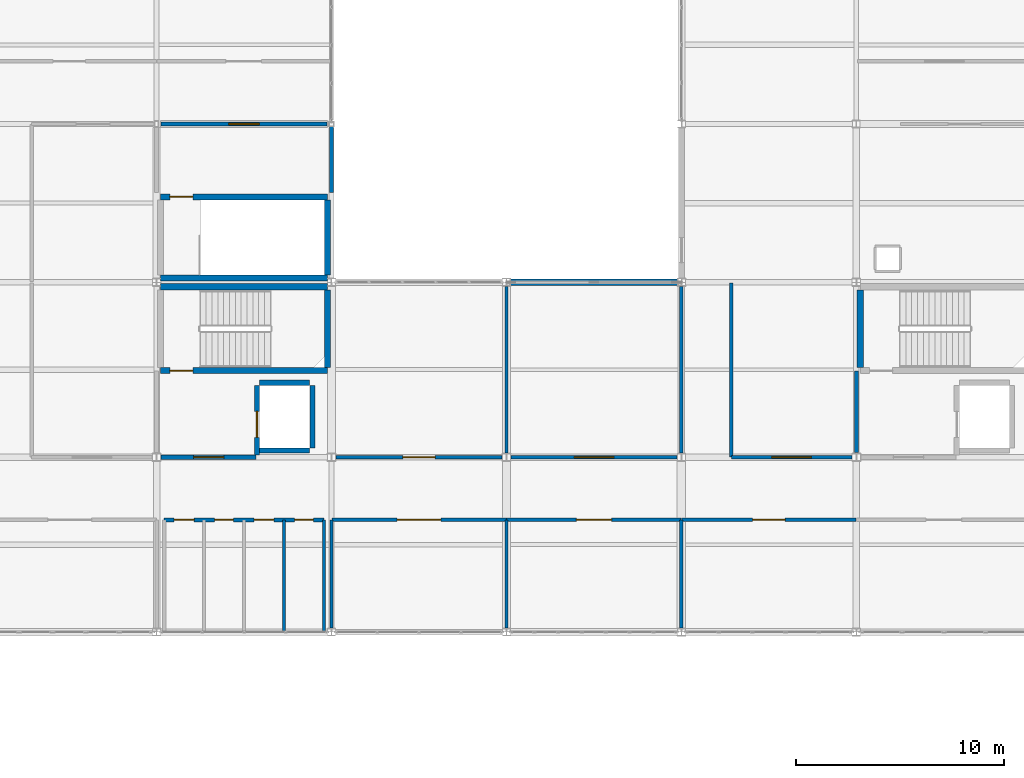
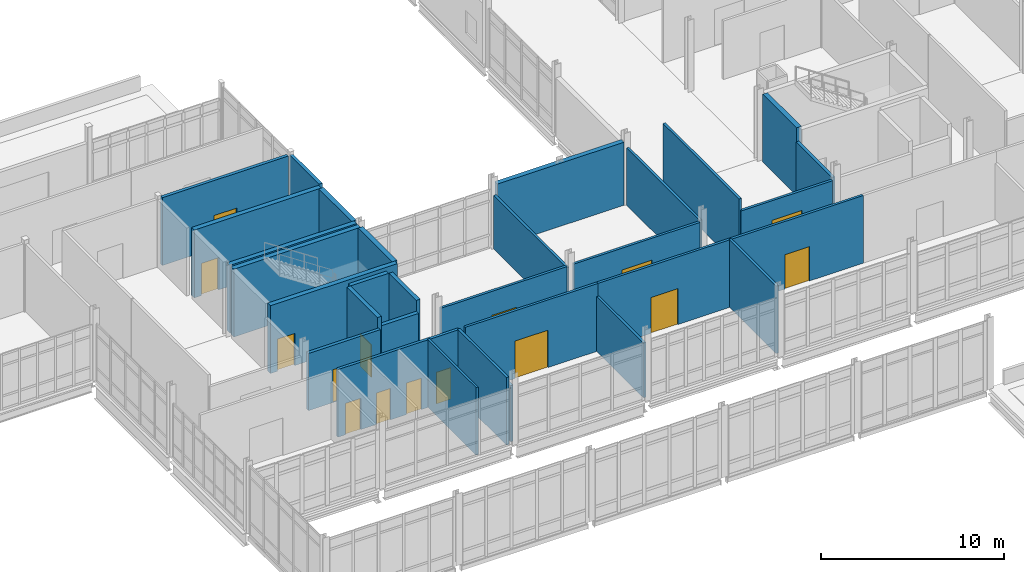
# One storey, part 159 of 186: 31 walls, 15 doors, 15 openings.
"""IFC4 building model written with IfcOpenShell, lengths in metres."""

from ifc_helpers import new_model, si_unit, direction, frame, frame_2d, origin, place, context, subcontext, project, spatial, rectangle, extrude, material, layer, layer_set, type_object, element, fill, save


model = new_model("IFC4")

# Units and contexts
model_context = context("Model", 3, precision=1e-05, world=origin(), true_north=direction((0.0, 1.0)))
body_context = subcontext(model_context, "Body", "Model", "MODEL_VIEW")
ifc_project = project(units=[si_unit("LENGTHUNIT", "METRE"), si_unit("AREAUNIT", "SQUARE_METRE"), si_unit("VOLUMEUNIT", "CUBIC_METRE"), si_unit("PLANEANGLEUNIT", "RADIAN"), si_unit("MASSUNIT", "GRAM", prefix="KILO")], contexts=[model_context])

# Site, building, storey
site_placement = place(None, origin())
site = spatial("IfcSite", under=ifc_project, at=site_placement, CompositionType="ELEMENT")
building_placement = place(site_placement, origin())
building = spatial("IfcBuilding", under=site, at=building_placement, Name="Calvrana Isthmian Art Gallery", CompositionType="ELEMENT")
storey_placement = place(building_placement, frame((0.0, 0.0, 5.39990234375)))
storey = spatial("IfcBuildingStorey", under=building, at=storey_placement, Name="L01", CompositionType="ELEMENT", Elevation=5.39990234375)

# Wall, opening, door
ifc_material_1 = material(Name="Concrete C40/50", Category="concrete")
ifc_layer_1 = layer(ifc_material_1, 0.300048828125, Name="Concrete C40/50")
ifc_layer_set_1 = layer_set([ifc_layer_1], Name="Concrete C40/50")
wall_type_1 = type_object("IfcWallType", Name="CW-SHAFT-300", PredefinedType="SHEAR", material=ifc_layer_set_1)
wall_1_placement = place(storey_placement, frame((30.18994140625, 42.56005859375, 0.0), z_axis=(0.0, 0.0, 1.0), x_axis=(1.0, 0.0, 0.0)))
wall_1 = element("IfcWall", 1, at=wall_1_placement, inside=storey, type_object=wall_type_1, Name="Core C1 shear wall S L01", PredefinedType="SHEAR", context=body_context, shape_type="SweptSolid", body=[
    extrude(rectangle(XDim=8.02001953125, YDim=0.300048828125, at=frame_2d((4.010009765625, 0.0))), origin(), (0.0, 0.0, 1.0), 4.5400390625),
])
opening_1_placement = place(wall_1_placement, frame((0.449951171875, 0.0, 0.0)))
opening_1 = element("IfcOpeningElement", 2, at=opening_1_placement, cuts=wall_1, Name="Opening D-105", PredefinedType="OPENING", context=body_context, shape_type="SweptSolid", body=[
    extrude(rectangle(XDim=1.10009765625, YDim=2.14990234375, at=frame_2d((0.550048828125, 1.074951171875))), frame((0.0, 0.16015625, 0.0), z_axis=(0.0, -1.0, 0.0), x_axis=(1.0, 0.0, 0.0)), (0.0, 0.0, 1.0), 0.320556640625),
])
ifc_material_2 = material(Name="Steel ASTM A572 Gr 50", Category="steel")
door_type_1 = type_object("IfcDoorType", Name="DR-FIRE-1100", OperationType="NOTDEFINED", PredefinedType="DOOR", material=ifc_material_2)
door_1_placement = place(opening_1_placement, origin())
door_1 = element("IfcDoor", 3, at=door_1_placement, inside=storey, type_object=door_type_1, Name="Stair ST-1 fire door L01", OperationType="SINGLE_SWING_LEFT", OverallHeight=2.14990234375, OverallWidth=1.10009765625, PredefinedType="DOOR", context=body_context, shape_type="SweptSolid", body=[
    extrude(rectangle(XDim=1.10009765625, YDim=2.14990234375, at=frame_2d((0.550048828125, 1.074951171875))), frame((0.0, 0.02490234375, 0.0), z_axis=(0.0, -1.0, 0.0), x_axis=(1.0, 0.0, 0.0)), (0.0, 0.0, 1.0), 0.050048828125),
])
fill(opening_1, door_1)

# Walls
wall_2_placement = place(storey_placement, frame((30.18994140625, 46.580078125, 0.0), z_axis=(0.0, 0.0, 1.0), x_axis=(1.0, 0.0, 0.0)))
element("IfcWall", 4, at=wall_2_placement, inside=storey, type_object=wall_type_1, Name="Core C1 shear wall N L01", PredefinedType="SHEAR", context=body_context, shape_type="SweptSolid", body=[
    extrude(rectangle(XDim=8.02001953125, YDim=0.300048828125, at=frame_2d((4.010009765625, 0.0))), origin(), (0.0, 0.0, 1.0), 4.5400390625),
])
for number, where, z_axis, x_axis, name in (
    (5, (38.2099609375, 42.7099609375, 0.0), (0.0, 0.0, 1.0), (0.0, 1.0, 0.0), "Core C1 shear wall E L01"),
    (6, (63.7900390625, 42.7099609375, 0.0), (0.0, 0.0, 1.0), (0.0, 1.0, 0.0), "Core C2 shear wall W L01"),
):
    element("IfcWall", number, at=place(storey_placement, frame(where, z_axis=z_axis, x_axis=x_axis)), inside=storey, type_object=wall_type_1, Name=name, PredefinedType="SHEAR", context=body_context, shape_type="SweptSolid", body=[
        extrude(rectangle(XDim=3.719970703125, YDim=0.300048828125, at=frame_2d((1.85986328125, 0.0))), origin(), (0.0, 0.0, 1.0), 4.5400390625),
    ])
wall_3_placement = place(storey_placement, frame((30.18994140625, 47.0, 0.0), z_axis=(0.0, 0.0, 1.0), x_axis=(1.0, 0.0, 0.0)))
element("IfcWall", 7, at=wall_3_placement, inside=storey, type_object=wall_type_1, Name="Core C7 shear wall S L01", PredefinedType="SHEAR", context=body_context, shape_type="SweptSolid", body=[
    extrude(rectangle(XDim=8.02001953125, YDim=0.300048828125, at=frame_2d((4.010009765625, 0.0))), origin(), (0.0, 0.0, 1.0), 4.5400390625),
])

# Wall, opening, door
wall_4_placement = place(storey_placement, frame((30.18994140625, 50.89990234375, 0.0), z_axis=(0.0, 0.0, 1.0), x_axis=(1.0, 0.0, 0.0)))
wall_4 = element("IfcWall", 8, at=wall_4_placement, inside=storey, type_object=wall_type_1, Name="Core C7 shear wall N L01", PredefinedType="SHEAR", context=body_context, shape_type="SweptSolid", body=[
    extrude(rectangle(XDim=8.02001953125, YDim=0.300048828125, at=frame_2d((4.010009765625, 0.0))), origin(), (0.0, 0.0, 1.0), 4.5400390625),
])
opening_2_placement = place(wall_4_placement, frame((0.449951171875, 0.0, 0.0)))
opening_2 = element("IfcOpeningElement", 9, at=opening_2_placement, cuts=wall_4, Name="Opening D-178", PredefinedType="OPENING", context=body_context, shape_type="SweptSolid", body=[
    extrude(rectangle(XDim=1.10009765625, YDim=2.14990234375, at=frame_2d((0.550048828125, 1.074951171875))), frame((0.0, 0.16015625, 0.0), z_axis=(0.0, -1.0, 0.0), x_axis=(1.0, 0.0, 0.0)), (0.0, 0.0, 1.0), 0.320556640625),
])
door_2_placement = place(opening_2_placement, origin())
door_2 = element("IfcDoor", 10, at=door_2_placement, inside=storey, type_object=door_type_1, Name="Stair ST-7 fire door L01", OperationType="SINGLE_SWING_RIGHT", OverallHeight=2.14990234375, OverallWidth=1.10009765625, PredefinedType="DOOR", context=body_context, shape_type="SweptSolid", body=[
    extrude(rectangle(XDim=1.10009765625, YDim=2.14990234375, at=frame_2d((0.550048828125, 1.074951171875))), frame((0.0, 0.02490234375, 0.0), z_axis=(0.0, -1.0, 0.0), x_axis=(1.0, 0.0, 0.0)), (0.0, 0.0, 1.0), 0.050048828125),
])
fill(opening_2, door_2)

# Walls
wall_5_placement = place(storey_placement, frame((38.2099609375, 47.14990234375, 0.0), z_axis=(0.0, 0.0, 1.0), x_axis=(0.0, 1.0, 0.0)))
element("IfcWall", 11, at=wall_5_placement, inside=storey, type_object=wall_type_1, Name="Core C7 shear wall E L01", PredefinedType="SHEAR", context=body_context, shape_type="SweptSolid", body=[
    extrude(rectangle(XDim=3.60009765625, YDim=0.300048828125, at=frame_2d((1.800048828125, 0.0))), origin(), (0.0, 0.0, 1.0), 4.5400390625),
])
ifc_material_3 = material(Name="Pale Isthmian limestone", Category="masonry")
ifc_layer_2 = layer(ifc_material_3, 0.300048828125, Name="Pale Isthmian limestone")
ifc_layer_set_2 = layer_set([ifc_layer_2], Name="Pale Isthmian limestone")
wall_type_2 = type_object("IfcWallType", Name="EW-LIME-300", PredefinedType="SOLIDWALL", material=ifc_layer_set_2)
wall_6_placement = place(storey_placement, frame((46.998046875, 46.800048828125, 0.0), z_axis=(0.0, 0.0, 1.0), x_axis=(1.0, 0.0, 0.0)))
element("IfcWall", 12, at=wall_6_placement, inside=storey, type_object=wall_type_2, Name="Exterior wall EW-067", PredefinedType="SOLIDWALL", context=body_context, shape_type="SweptSolid", body=[
    extrude(rectangle(XDim=8.0048828125, YDim=0.300048828125, at=frame_2d((4.00244140625, 0.0))), origin(), (0.0, 0.0, 1.0), 4.21533203125),
])

# Wall, openings, doors
ifc_material_4 = material(Name="Acoustic gypsum ceiling", Category="gypsum")
ifc_layer_3 = layer(ifc_material_4, 0.179931640625, Name="Acoustic gypsum ceiling")
ifc_layer_set_3 = layer_set([ifc_layer_3], Name="Acoustic gypsum ceiling")
wall_type_3 = type_object("IfcWallType", Name="PW-CORR-180", PredefinedType="PARTITIONING", material=ifc_layer_set_3)
wall_7_placement = place(storey_placement, frame((30.360107421875, 35.389892578125, 0.0), z_axis=(0.0, 0.0, 1.0), x_axis=(1.0, 0.0, 0.0)))
wall_7 = element("IfcWall", 13, at=wall_7_placement, inside=storey, type_object=wall_type_3, Name="Interior partition PW-304", PredefinedType="PARTITIONING", context=body_context, shape_type="SweptSolid", body=[
    extrude(rectangle(XDim=7.679931640625, YDim=0.179931640625, at=frame_2d((3.83984375, 0.0))), origin(), (0.0, 0.0, 1.0), 4.52001953125),
])
opening_3_placement = place(wall_7_placement, frame((0.485107421875, 0.0, 0.0)))
opening_3 = element("IfcOpeningElement", 14, at=opening_3_placement, cuts=wall_7, Name="Opening D-350", PredefinedType="OPENING", context=body_context, shape_type="SweptSolid", body=[
    extrude(rectangle(XDim=0.949951171875, YDim=2.10009765625, at=frame_2d((0.47509765625, 1.050048828125))), frame((0.0, 0.10009765625, 0.0), z_axis=(0.0, -1.0, 0.0), x_axis=(1.0, 0.0, 0.0)), (0.0, 0.0, 1.0), 0.200439453125),
])
opening_4_placement = place(wall_7_placement, frame((2.429931640625, 0.0, 0.0)))
opening_4 = element("IfcOpeningElement", 15, at=opening_4_placement, cuts=wall_7, Name="Opening D-351", PredefinedType="OPENING", context=body_context, shape_type="SweptSolid", body=[
    extrude(rectangle(XDim=0.89990234375, YDim=2.10009765625, at=frame_2d((0.449951171875, 1.050048828125))), frame((0.0, 0.10009765625, 0.0), z_axis=(0.0, -1.0, 0.0), x_axis=(1.0, 0.0, 0.0)), (0.0, 0.0, 1.0), 0.200439453125),
])
opening_5_placement = place(wall_7_placement, frame((4.324951171875, 0.0, 0.0)))
opening_5 = element("IfcOpeningElement", 16, at=opening_5_placement, cuts=wall_7, Name="Opening D-352", PredefinedType="OPENING", context=body_context, shape_type="SweptSolid", body=[
    extrude(rectangle(XDim=0.949951171875, YDim=2.10009765625, at=frame_2d((0.47509765625, 1.050048828125))), frame((0.0, 0.10009765625, 0.0), z_axis=(0.0, -1.0, 0.0), x_axis=(1.0, 0.0, 0.0)), (0.0, 0.0, 1.0), 0.200439453125),
])
opening_6_placement = place(wall_7_placement, frame((6.27001953125, 0.0, 0.0)))
opening_6 = element("IfcOpeningElement", 17, at=opening_6_placement, cuts=wall_7, Name="Opening D-353", PredefinedType="OPENING", context=body_context, shape_type="SweptSolid", body=[
    extrude(rectangle(XDim=0.89990234375, YDim=2.10009765625, at=frame_2d((0.449951171875, 1.050048828125))), frame((0.0, 0.10009765625, 0.0), z_axis=(0.0, -1.0, 0.0), x_axis=(1.0, 0.0, 0.0)), (0.0, 0.0, 1.0), 0.200439453125),
])
ifc_material_5 = material(Name="Timber gallery flooring", Category="wood")
door_type_2 = type_object("IfcDoorType", Name="DR-WC-900", OperationType="NOTDEFINED", PredefinedType="DOOR", material=ifc_material_5)
door_3_placement = place(opening_4_placement, origin())
door_3 = element("IfcDoor", 18, at=door_3_placement, inside=storey, type_object=door_type_2, Name="Interior door D-351", OperationType="SINGLE_SWING_LEFT", OverallHeight=2.10009765625, OverallWidth=0.89990234375, PredefinedType="DOOR", context=body_context, shape_type="SweptSolid", body=[
    extrude(rectangle(XDim=0.89990234375, YDim=2.10009765625, at=frame_2d((0.449951171875, 1.050048828125))), frame((0.0, 0.02490234375, 0.0), z_axis=(0.0, -1.0, 0.0), x_axis=(1.0, 0.0, 0.0)), (0.0, 0.0, 1.0), 0.050048828125),
])
fill(opening_4, door_3)
door_4_placement = place(opening_6_placement, origin())
door_4 = element("IfcDoor", 19, at=door_4_placement, inside=storey, type_object=door_type_2, Name="Interior door D-353", OperationType="SINGLE_SWING_LEFT", OverallHeight=2.10009765625, OverallWidth=0.89990234375, PredefinedType="DOOR", context=body_context, shape_type="SweptSolid", body=[
    extrude(rectangle(XDim=0.89990234375, YDim=2.10009765625, at=frame_2d((0.449951171875, 1.050048828125))), frame((0.0, 0.02490234375, 0.0), z_axis=(0.0, -1.0, 0.0), x_axis=(1.0, 0.0, 0.0)), (0.0, 0.0, 1.0), 0.050048828125),
])
fill(opening_6, door_4)
door_type_3 = type_object("IfcDoorType", Name="DR-WC-950", OperationType="NOTDEFINED", PredefinedType="DOOR", material=ifc_material_5)
door_5_placement = place(opening_3_placement, origin())
door_5 = element("IfcDoor", 20, at=door_5_placement, inside=storey, type_object=door_type_3, Name="Interior door D-350", OperationType="SINGLE_SWING_RIGHT", OverallHeight=2.10009765625, OverallWidth=0.949951171875, PredefinedType="DOOR", context=body_context, shape_type="SweptSolid", body=[
    extrude(rectangle(XDim=0.949951171875, YDim=2.10009765625, at=frame_2d((0.47509765625, 1.050048828125))), frame((0.0, 0.02490234375, 0.0), z_axis=(0.0, -1.0, 0.0), x_axis=(1.0, 0.0, 0.0)), (0.0, 0.0, 1.0), 0.050048828125),
])
fill(opening_3, door_5)
door_6_placement = place(opening_5_placement, origin())
door_6 = element("IfcDoor", 21, at=door_6_placement, inside=storey, type_object=door_type_3, Name="Interior door D-352", OperationType="SINGLE_SWING_RIGHT", OverallHeight=2.10009765625, OverallWidth=0.949951171875, PredefinedType="DOOR", context=body_context, shape_type="SweptSolid", body=[
    extrude(rectangle(XDim=0.949951171875, YDim=2.10009765625, at=frame_2d((0.47509765625, 1.050048828125))), frame((0.0, 0.02490234375, 0.0), z_axis=(0.0, -1.0, 0.0), x_axis=(1.0, 0.0, 0.0)), (0.0, 0.0, 1.0), 0.050048828125),
])
fill(opening_5, door_6)

# Wall, opening, door
ifc_layer_4 = layer(ifc_material_4, 0.199951171875, Name="Acoustic gypsum ceiling")
ifc_layer_set_4 = layer_set([ifc_layer_4], Name="Acoustic gypsum ceiling")
wall_type_4 = type_object("IfcWallType", Name="PW-FIRE-200", PredefinedType="PARTITIONING", material=ifc_layer_set_4)
wall_8_placement = place(storey_placement, frame((30.219970703125, 38.39990234375, 0.0), z_axis=(0.0, 0.0, 1.0), x_axis=(1.0, 0.0, 0.0)))
wall_8 = element("IfcWall", 22, at=wall_8_placement, inside=storey, type_object=wall_type_4, Name="Core C1 lobby enclosure L01", PredefinedType="PARTITIONING", context=body_context, shape_type="SweptSolid", body=[
    extrude(rectangle(XDim=4.56005859375, YDim=0.199951171875, at=frame_2d((2.280029296875, 0.0))), origin(), (0.0, 0.0, 1.0), 3.8271484375),
])
opening_7_placement = place(wall_8_placement, frame((1.554931640625, 0.0, 0.0)))
opening_7 = element("IfcOpeningElement", 23, at=opening_7_placement, cuts=wall_8, Name="Opening D-106", PredefinedType="OPENING", context=body_context, shape_type="SweptSolid", body=[
    extrude(rectangle(XDim=1.449951171875, YDim=2.199951171875, at=frame_2d((0.72509765625, 1.10009765625))), frame((0.0, 0.1103515625, 0.0), z_axis=(0.0, -1.0, 0.0), x_axis=(1.0, 0.0, 0.0)), (0.0, 0.0, 1.0), 0.220458984375),
])
door_type_4 = type_object("IfcDoorType", Name="DR-LOBBY-1450", OperationType="DOUBLE_DOOR_SINGLE_SWING", PredefinedType="DOOR", material=ifc_material_2)
door_7_placement = place(opening_7_placement, origin())
door_7 = element("IfcDoor", 24, at=door_7_placement, inside=storey, type_object=door_type_4, Name="Core C1 lobby fire door L01", OperationType="DOUBLE_DOOR_SINGLE_SWING", OverallHeight=2.199951171875, OverallWidth=1.449951171875, PredefinedType="DOOR", context=body_context, shape_type="SweptSolid", body=[
    extrude(rectangle(XDim=1.449951171875, YDim=2.199951171875, at=frame_2d((0.72509765625, 1.10009765625))), frame((0.0, 0.02490234375, 0.0), z_axis=(0.0, -1.0, 0.0), x_axis=(1.0, 0.0, 0.0)), (0.0, 0.0, 1.0), 0.050048828125),
])
fill(opening_7, door_7)

# Walls
wall_9_placement = place(storey_placement, frame((63.60009765625, 38.6201171875, 0.0), z_axis=(0.0, 0.0, 1.0), x_axis=(0.0, 1.0, 0.0)))
element("IfcWall", 25, at=wall_9_placement, inside=storey, type_object=wall_type_4, Name="Core C2 lobby west closure L01", PredefinedType="PARTITIONING", context=body_context, shape_type="SweptSolid", body=[
    extrude(rectangle(XDim=3.919921875, YDim=0.199951171875, at=frame_2d((1.9599609375, 0.0))), origin(), (0.0, 0.0, 1.0), 3.748046875),
])
wall_10_placement = place(storey_placement, frame((38.39990234375, 51.1201171875, 0.0), z_axis=(0.0, 0.0, 1.0), x_axis=(0.0, 1.0, 0.0)))
element("IfcWall", 26, at=wall_10_placement, inside=storey, type_object=wall_type_4, Name="Core C7 lobby E closure L01", PredefinedType="PARTITIONING", context=body_context, shape_type="SweptSolid", body=[
    extrude(rectangle(XDim=3.259765625, YDim=0.199951171875, at=frame_2d((1.6298828125, 0.0))), origin(), (0.0, 0.0, 1.0), 4.5400390625),
])

# Wall, opening, door
wall_11_placement = place(storey_placement, frame((30.219970703125, 54.39990234375, 0.0), z_axis=(0.0, 0.0, 1.0), x_axis=(1.0, 0.0, 0.0)))
wall_11 = element("IfcWall", 27, at=wall_11_placement, inside=storey, type_object=wall_type_4, Name="Core C7 lobby enclosure L01", PredefinedType="PARTITIONING", context=body_context, shape_type="SweptSolid", body=[
    extrude(rectangle(XDim=7.9599609375, YDim=0.199951171875, at=frame_2d((3.97998046875, 0.0))), origin(), (0.0, 0.0, 1.0), 4.5400390625),
])
opening_8_placement = place(wall_11_placement, frame((3.2548828125, 0.0, 0.0)))
opening_8 = element("IfcOpeningElement", 28, at=opening_8_placement, cuts=wall_11, Name="Opening D-179", PredefinedType="OPENING", context=body_context, shape_type="SweptSolid", body=[
    extrude(rectangle(XDim=1.449951171875, YDim=2.199951171875, at=frame_2d((0.72509765625, 1.10009765625))), frame((0.0, 0.1103515625, 0.0), z_axis=(0.0, -1.0, 0.0), x_axis=(1.0, 0.0, 0.0)), (0.0, 0.0, 1.0), 0.220458984375),
])
door_8_placement = place(opening_8_placement, origin())
door_8 = element("IfcDoor", 29, at=door_8_placement, inside=storey, type_object=door_type_4, Name="Core C7 lobby fire door L01", OperationType="DOUBLE_DOOR_SINGLE_SWING", OverallHeight=2.199951171875, OverallWidth=1.449951171875, PredefinedType="DOOR", context=body_context, shape_type="SweptSolid", body=[
    extrude(rectangle(XDim=1.449951171875, YDim=2.199951171875, at=frame_2d((0.72509765625, 1.10009765625))), frame((0.0, 0.02490234375, 0.0), z_axis=(0.0, -1.0, 0.0), x_axis=(1.0, 0.0, 0.0)), (0.0, 0.0, 1.0), 0.050048828125),
])
fill(opening_8, door_8)

# Walls
ifc_layer_5 = layer(ifc_material_4, 0.159912109375, Name="Acoustic gypsum ceiling")
ifc_layer_set_5 = layer_set([ifc_layer_5], Name="Acoustic gypsum ceiling")
wall_type_5 = type_object("IfcWallType", Name="PW-GAL-160", PredefinedType="PARTITIONING", material=ifc_layer_set_5)
wall_12_placement = place(storey_placement, frame((38.0400390625, 30.030029296875, 0.0), z_axis=(0.0, 0.0, 1.0), x_axis=(0.0, 1.0, 0.0)))
element("IfcWall", 30, at=wall_12_placement, inside=storey, type_object=wall_type_5, Name="Interior partition PW-303", PredefinedType="PARTITIONING", context=body_context, shape_type="SweptSolid", body=[
    extrude(rectangle(XDim=5.349853515625, YDim=0.159912109375, at=frame_2d((2.6748046875, 0.0))), origin(), (0.0, 0.0, 1.0), 4.52001953125),
])
wall_13_placement = place(storey_placement, frame((38.39990234375, 30.196533203125, 0.0), z_axis=(0.0, 0.0, 1.0), x_axis=(0.0, 1.0, 0.0)))
element("IfcWall", 31, at=wall_13_placement, inside=storey, type_object=wall_type_5, Name="Interior partition PW-305", PredefinedType="PARTITIONING", context=body_context, shape_type="SweptSolid", body=[
    extrude(rectangle(XDim=5.183349609375, YDim=0.159912109375, at=frame_2d((2.591796875, 0.0))), origin(), (0.0, 0.0, 1.0), 3.748046875),
])

# Wall, opening, door
wall_14_placement = place(storey_placement, frame((38.409912109375, 35.389892578125, 0.0), z_axis=(0.0, 0.0, 1.0), x_axis=(1.0, 0.0, 0.0)))
wall_14 = element("IfcWall", 32, at=wall_14_placement, inside=storey, type_object=wall_type_5, Name="Interior partition PW-306", PredefinedType="PARTITIONING", context=body_context, shape_type="SweptSolid", body=[
    extrude(rectangle(XDim=8.380126953125, YDim=0.159912109375, at=frame_2d((4.18994140625, 0.0))), origin(), (0.0, 0.0, 1.0), 4.52001953125),
])
opening_9_placement = place(wall_14_placement, frame((3.139892578125, 0.0, 0.0)))
opening_9 = element("IfcOpeningElement", 33, at=opening_9_placement, cuts=wall_14, Name="Opening D-354", PredefinedType="OPENING", context=body_context, shape_type="SweptSolid", body=[
    extrude(rectangle(XDim=2.10009765625, YDim=2.5, at=frame_2d((1.050048828125, 1.25))), frame((0.0, 0.09033203125, 0.0), z_axis=(0.0, -1.0, 0.0), x_axis=(1.0, 0.0, 0.0)), (0.0, 0.0, 1.0), 0.180419921875),
])
door_type_5 = type_object("IfcDoorType", Name="DR-GAL-2100", OperationType="DOUBLE_DOOR_SINGLE_SWING", PredefinedType="DOOR", material=ifc_material_5)
door_9_placement = place(opening_9_placement, origin())
door_9 = element("IfcDoor", 34, at=door_9_placement, inside=storey, type_object=door_type_5, Name="Interior door D-354", OperationType="DOUBLE_DOOR_SINGLE_SWING", OverallHeight=2.5, OverallWidth=2.10009765625, PredefinedType="DOOR", context=body_context, shape_type="SweptSolid", body=[
    extrude(rectangle(XDim=2.10009765625, YDim=2.5, at=frame_2d((1.050048828125, 1.25))), frame((0.0, 0.02490234375, 0.0), z_axis=(0.0, -1.0, 0.0), x_axis=(1.0, 0.0, 0.0)), (0.0, 0.0, 1.0), 0.050048828125),
])
fill(opening_9, door_9)

# Wall
wall_15_placement = place(storey_placement, frame((46.800048828125, 30.193115234375, 0.0), z_axis=(0.0, 0.0, 1.0), x_axis=(0.0, 1.0, 0.0)))
element("IfcWall", 35, at=wall_15_placement, inside=storey, type_object=wall_type_5, Name="Interior partition PW-307", PredefinedType="PARTITIONING", context=body_context, shape_type="SweptSolid", body=[
    extrude(rectangle(XDim=5.186767578125, YDim=0.159912109375, at=frame_2d((2.59326171875, 0.0))), origin(), (0.0, 0.0, 1.0), 3.6640625),
])

# Wall, opening, door
wall_16_placement = place(storey_placement, frame((46.81005859375, 35.389892578125, 0.0), z_axis=(0.0, 0.0, 1.0), x_axis=(1.0, 0.0, 0.0)))
wall_16 = element("IfcWall", 36, at=wall_16_placement, inside=storey, type_object=wall_type_5, Name="Interior partition PW-308", PredefinedType="PARTITIONING", context=body_context, shape_type="SweptSolid", body=[
    extrude(rectangle(XDim=8.3798828125, YDim=0.159912109375, at=frame_2d((4.18994140625, 0.0))), origin(), (0.0, 0.0, 1.0), 4.52001953125),
])
opening_10_placement = place(wall_16_placement, frame((3.340087890625, 0.0, 0.0)))
opening_10 = element("IfcOpeningElement", 37, at=opening_10_placement, cuts=wall_16, Name="Opening D-355", PredefinedType="OPENING", context=body_context, shape_type="SweptSolid", body=[
    extrude(rectangle(XDim=1.699951171875, YDim=2.39990234375, at=frame_2d((0.85009765625, 1.199951171875))), frame((0.0, 0.09033203125, 0.0), z_axis=(0.0, -1.0, 0.0), x_axis=(1.0, 0.0, 0.0)), (0.0, 0.0, 1.0), 0.180419921875),
])
door_type_6 = type_object("IfcDoorType", Name="DR-GAL-1700", OperationType="DOUBLE_DOOR_SINGLE_SWING", PredefinedType="DOOR", material=ifc_material_5)
door_10_placement = place(opening_10_placement, origin())
door_10 = element("IfcDoor", 38, at=door_10_placement, inside=storey, type_object=door_type_6, Name="Interior door D-355", OperationType="DOUBLE_DOOR_SINGLE_SWING", OverallHeight=2.39990234375, OverallWidth=1.699951171875, PredefinedType="DOOR", context=body_context, shape_type="SweptSolid", body=[
    extrude(rectangle(XDim=1.699951171875, YDim=2.39990234375, at=frame_2d((0.85009765625, 1.199951171875))), frame((0.0, 0.02490234375, 0.0), z_axis=(0.0, -1.0, 0.0), x_axis=(1.0, 0.0, 0.0)), (0.0, 0.0, 1.0), 0.050048828125),
])
fill(opening_10, door_10)

# Wall
wall_17_placement = place(storey_placement, frame((55.199951171875, 30.2080078125, 0.0), z_axis=(0.0, 0.0, 1.0), x_axis=(0.0, 1.0, 0.0)))
element("IfcWall", 39, at=wall_17_placement, inside=storey, type_object=wall_type_5, Name="Interior partition PW-309", PredefinedType="PARTITIONING", context=body_context, shape_type="SweptSolid", body=[
    extrude(rectangle(XDim=5.171875, YDim=0.159912109375, at=frame_2d((2.5859375, 0.0))), origin(), (0.0, 0.0, 1.0), 4.52001953125),
])

# Wall, opening, door
wall_18_placement = place(storey_placement, frame((55.2099609375, 35.389892578125, 0.0), z_axis=(0.0, 0.0, 1.0), x_axis=(1.0, 0.0, 0.0)))
wall_18 = element("IfcWall", 40, at=wall_18_placement, inside=storey, type_object=wall_type_5, Name="Interior partition PW-310", PredefinedType="PARTITIONING", context=body_context, shape_type="SweptSolid", body=[
    extrude(rectangle(XDim=8.380126953125, YDim=0.159912109375, at=frame_2d((4.18994140625, 0.0))), origin(), (0.0, 0.0, 1.0), 4.52001953125),
])
opening_11_placement = place(wall_18_placement, frame((3.4150390625, 0.0, 0.0)))
opening_11 = element("IfcOpeningElement", 41, at=opening_11_placement, cuts=wall_18, Name="Opening D-356", PredefinedType="OPENING", context=body_context, shape_type="SweptSolid", body=[
    extrude(rectangle(XDim=1.550048828125, YDim=2.300048828125, at=frame_2d((0.77490234375, 1.14990234375))), frame((0.0, 0.09033203125, 0.0), z_axis=(0.0, -1.0, 0.0), x_axis=(1.0, 0.0, 0.0)), (0.0, 0.0, 1.0), 0.180419921875),
])
door_type_7 = type_object("IfcDoorType", Name="DR-AUD-1550", OperationType="DOUBLE_DOOR_SINGLE_SWING", PredefinedType="DOOR", material=ifc_material_5)
door_11_placement = place(opening_11_placement, origin())
door_11 = element("IfcDoor", 42, at=door_11_placement, inside=storey, type_object=door_type_7, Name="Interior door D-356", OperationType="DOUBLE_DOOR_SINGLE_SWING", OverallHeight=2.300048828125, OverallWidth=1.550048828125, PredefinedType="DOOR", context=body_context, shape_type="SweptSolid", body=[
    extrude(rectangle(XDim=1.550048828125, YDim=2.300048828125, at=frame_2d((0.77490234375, 1.14990234375))), frame((0.0, 0.02490234375, 0.0), z_axis=(0.0, -1.0, 0.0), x_axis=(1.0, 0.0, 0.0)), (0.0, 0.0, 1.0), 0.050048828125),
])
fill(opening_11, door_11)

wall_19_placement = place(storey_placement, frame((38.613037109375, 38.39990234375, 0.0), z_axis=(0.0, 0.0, 1.0), x_axis=(1.0, 0.0, 0.0)))
wall_19 = element("IfcWall", 43, at=wall_19_placement, inside=storey, type_object=wall_type_5, Name="Interior partition PW-316", PredefinedType="PARTITIONING", context=body_context, shape_type="SweptSolid", body=[
    extrude(rectangle(XDim=7.974853515625, YDim=0.159912109375, at=frame_2d((3.9873046875, 0.0))), origin(), (0.0, 0.0, 1.0), 3.898193359375),
])
opening_12_placement = place(wall_19_placement, frame((3.21240234375, 0.0, 0.0)))
opening_12 = element("IfcOpeningElement", 44, at=opening_12_placement, cuts=wall_19, Name="Opening D-360", PredefinedType="OPENING", context=body_context, shape_type="SweptSolid", body=[
    extrude(rectangle(XDim=1.550048828125, YDim=2.300048828125, at=frame_2d((0.77490234375, 1.14990234375))), frame((0.0, 0.09033203125, 0.0), z_axis=(0.0, -1.0, 0.0), x_axis=(1.0, 0.0, 0.0)), (0.0, 0.0, 1.0), 0.180419921875),
])
door_12_placement = place(opening_12_placement, origin())
door_12 = element("IfcDoor", 45, at=door_12_placement, inside=storey, type_object=door_type_7, Name="Interior door D-360", OperationType="DOUBLE_DOOR_SINGLE_SWING", OverallHeight=2.300048828125, OverallWidth=1.550048828125, PredefinedType="DOOR", context=body_context, shape_type="SweptSolid", body=[
    extrude(rectangle(XDim=1.550048828125, YDim=2.300048828125, at=frame_2d((0.77490234375, 1.14990234375))), frame((0.0, 0.02490234375, 0.0), z_axis=(0.0, -1.0, 0.0), x_axis=(1.0, 0.0, 0.0)), (0.0, 0.0, 1.0), 0.050048828125),
])
fill(opening_12, door_12)

# Wall
wall_20_placement = place(storey_placement, frame((46.800048828125, 38.60302734375, 0.0), z_axis=(0.0, 0.0, 1.0), x_axis=(0.0, 1.0, 0.0)))
element("IfcWall", 46, at=wall_20_placement, inside=storey, type_object=wall_type_5, Name="Interior partition PW-317", PredefinedType="PARTITIONING", context=body_context, shape_type="SweptSolid", body=[
    extrude(rectangle(XDim=7.991455078125, YDim=0.159912109375, at=frame_2d((3.99560546875, 0.0))), origin(), (0.0, 0.0, 1.0), 3.593017578125),
])

# Wall, opening, door
wall_21_placement = place(storey_placement, frame((47.011962890625, 38.39990234375, 0.0), z_axis=(0.0, 0.0, 1.0), x_axis=(1.0, 0.0, 0.0)))
wall_21 = element("IfcWall", 47, at=wall_21_placement, inside=storey, type_object=wall_type_5, Name="Interior partition PW-318", PredefinedType="PARTITIONING", context=body_context, shape_type="SweptSolid", body=[
    extrude(rectangle(XDim=7.986572265625, YDim=0.159912109375, at=frame_2d((3.9931640625, 0.0))), origin(), (0.0, 0.0, 1.0), 3.908203125),
])
opening_13_placement = place(wall_21_placement, frame((3.043212890625, 0.0, 0.0)))
opening_13 = element("IfcOpeningElement", 48, at=opening_13_placement, cuts=wall_21, Name="Opening D-361", PredefinedType="OPENING", context=body_context, shape_type="SweptSolid", body=[
    extrude(rectangle(XDim=1.89990234375, YDim=2.449951171875, at=frame_2d((0.949951171875, 1.22509765625))), frame((0.0, 0.09033203125, 0.0), z_axis=(0.0, -1.0, 0.0), x_axis=(1.0, 0.0, 0.0)), (0.0, 0.0, 1.0), 0.180419921875),
])
door_type_8 = type_object("IfcDoorType", Name="DR-GAL-1900", OperationType="DOUBLE_DOOR_SINGLE_SWING", PredefinedType="DOOR", material=ifc_material_5)
door_13_placement = place(opening_13_placement, origin())
door_13 = element("IfcDoor", 49, at=door_13_placement, inside=storey, type_object=door_type_8, Name="Interior door D-361", OperationType="DOUBLE_DOOR_SINGLE_SWING", OverallHeight=2.449951171875, OverallWidth=1.89990234375, PredefinedType="DOOR", context=body_context, shape_type="SweptSolid", body=[
    extrude(rectangle(XDim=1.89990234375, YDim=2.449951171875, at=frame_2d((0.949951171875, 1.22509765625))), frame((0.0, 0.02490234375, 0.0), z_axis=(0.0, -1.0, 0.0), x_axis=(1.0, 0.0, 0.0)), (0.0, 0.0, 1.0), 0.050048828125),
])
fill(opening_13, door_13)

# Walls
wall_22_placement = place(storey_placement, frame((55.199951171875, 38.6015625, 0.0), z_axis=(0.0, 0.0, 1.0), x_axis=(0.0, 1.0, 0.0)))
element("IfcWall", 50, at=wall_22_placement, inside=storey, type_object=wall_type_5, Name="Interior partition PW-319", PredefinedType="PARTITIONING", context=body_context, shape_type="SweptSolid", body=[
    extrude(rectangle(XDim=7.995361328125, YDim=0.159912109375, at=frame_2d((3.99755859375, 0.0))), origin(), (0.0, 0.0, 1.0), 3.8271484375),
])
wall_23_placement = place(storey_placement, frame((57.60009765625, 38.419921875, 0.0), z_axis=(0.0, 0.0, 1.0), x_axis=(0.0, 1.0, 0.0)))
element("IfcWall", 51, at=wall_23_placement, inside=storey, type_object=wall_type_5, Name="Interior partition PW-320", PredefinedType="PARTITIONING", context=body_context, shape_type="SweptSolid", body=[
    extrude(rectangle(XDim=8.340087890625, YDim=0.159912109375, at=frame_2d((4.169921875, 0.0))), origin(), (0.0, 0.0, 1.0), 4.52001953125),
])

# Wall, opening, door
wall_24_placement = place(storey_placement, frame((57.60009765625, 38.39990234375, 0.0), z_axis=(0.0, 0.0, 1.0), x_axis=(1.0, 0.0, 0.0)))
wall_24 = element("IfcWall", 52, at=wall_24_placement, inside=storey, type_object=wall_type_5, Name="Interior partition PW-321", PredefinedType="PARTITIONING", context=body_context, shape_type="SweptSolid", body=[
    extrude(rectangle(XDim=5.785400390625, YDim=0.159912109375, at=frame_2d((2.892578125, 0.0))), origin(), (0.0, 0.0, 1.0), 3.758056640625),
])
opening_14_placement = place(wall_24_placement, frame((1.942626953125, 0.0, 0.0)))
opening_14 = element("IfcOpeningElement", 53, at=opening_14_placement, cuts=wall_24, Name="Opening D-362", PredefinedType="OPENING", context=body_context, shape_type="SweptSolid", body=[
    extrude(rectangle(XDim=1.89990234375, YDim=2.449951171875, at=frame_2d((0.949951171875, 1.22509765625))), frame((0.0, 0.09033203125, 0.0), z_axis=(0.0, -1.0, 0.0), x_axis=(1.0, 0.0, 0.0)), (0.0, 0.0, 1.0), 0.180419921875),
])
door_14_placement = place(opening_14_placement, origin())
door_14 = element("IfcDoor", 54, at=door_14_placement, inside=storey, type_object=door_type_8, Name="Interior door D-362", OperationType="DOUBLE_DOOR_SINGLE_SWING", OverallHeight=2.449951171875, OverallWidth=1.89990234375, PredefinedType="DOOR", context=body_context, shape_type="SweptSolid", body=[
    extrude(rectangle(XDim=1.89990234375, YDim=2.449951171875, at=frame_2d((0.949951171875, 1.22509765625))), frame((0.0, 0.02490234375, 0.0), z_axis=(0.0, -1.0, 0.0), x_axis=(1.0, 0.0, 0.0)), (0.0, 0.0, 1.0), 0.050048828125),
])
fill(opening_14, door_14)

# Walls
ifc_material_6 = material(Name="Concrete C35/45", Category="concrete")
ifc_layer_6 = layer(ifc_material_6, 0.25, Name="Concrete C35/45")
ifc_layer_set_6 = layer_set([ifc_layer_6], Name="Concrete C35/45")
wall_type_6 = type_object("IfcWallType", Name="PW-SHAFT-250", PredefinedType="PARTITIONING", material=ifc_layer_set_6)
wall_25_placement = place(storey_placement, frame((37.47998046875, 38.85009765625, 0.0), z_axis=(0.0, 0.0, 1.0), x_axis=(0.0, 1.0, 0.0)))
element("IfcWall", 55, at=wall_25_placement, inside=storey, type_object=wall_type_6, Name="Lift EL-01 shaft wall E L01", PredefinedType="PARTITIONING", context=body_context, shape_type="SweptSolid", body=[
    extrude(rectangle(XDim=3.0, YDim=0.25, at=frame_2d((1.5, 0.0))), origin(), (0.0, 0.0, 1.0), 4.5400390625),
])
wall_26_placement = place(storey_placement, frame((34.949951171875, 38.719970703125, 0.0), z_axis=(0.0, 0.0, 1.0), x_axis=(1.0, 0.0, 0.0)))
element("IfcWall", 56, at=wall_26_placement, inside=storey, type_object=wall_type_6, Name="Lift EL-01 shaft wall S L01", PredefinedType="PARTITIONING", context=body_context, shape_type="SweptSolid", body=[
    extrude(rectangle(XDim=2.400146484375, YDim=0.25, at=frame_2d((1.2001953125, 0.0))), origin(), (0.0, 0.0, 1.0), 3.8271484375),
])
wall_27_placement = place(storey_placement, frame((34.949951171875, 41.97998046875, 0.0), z_axis=(0.0, 0.0, 1.0), x_axis=(1.0, 0.0, 0.0)))
element("IfcWall", 57, at=wall_27_placement, inside=storey, type_object=wall_type_6, Name="Lift EL-01 shaft wall N L01", PredefinedType="PARTITIONING", context=body_context, shape_type="SweptSolid", body=[
    extrude(rectangle(XDim=2.400146484375, YDim=0.25, at=frame_2d((1.2001953125, 0.0))), origin(), (0.0, 0.0, 1.0), 4.5400390625),
])

# Wall, opening, door
wall_28_placement = place(storey_placement, frame((34.820068359375, 38.5, 0.0), z_axis=(0.0, 0.0, 1.0), x_axis=(0.0, 1.0, 0.0)))
wall_28 = element("IfcWall", 58, at=wall_28_placement, inside=storey, type_object=wall_type_6, Name="Lift EL-01 shaft wall W L01", PredefinedType="PARTITIONING", context=body_context, shape_type="SweptSolid", body=[
    extrude(rectangle(XDim=3.35009765625, YDim=0.25, at=frame_2d((1.675048828125, 0.0))), origin(), (0.0, 0.0, 1.0), 4.5400390625),
])
opening_15_placement = place(wall_28_placement, frame((0.85009765625, 0.0, 0.0)))
opening_15 = element("IfcOpeningElement", 59, at=opening_15_placement, cuts=wall_28, Name="Opening LD-01-L01", PredefinedType="OPENING", context=body_context, shape_type="SweptSolid", body=[
    extrude(rectangle(XDim=1.25, YDim=2.14990234375, at=frame_2d((0.625, 1.074951171875))), frame((0.0, 0.13525390625, 0.0), z_axis=(0.0, -1.0, 0.0), x_axis=(1.0, 0.0, 0.0)), (0.0, 0.0, 1.0), 0.2705078125),
])
ifc_material_7 = material(Name="Stainless steel 316", Category="steel")
door_type_9 = type_object("IfcDoorType", Name="DR-LIFT-1250", OperationType="DOUBLE_DOOR_SLIDING", PredefinedType="DOOR", material=ifc_material_7)
door_15_placement = place(opening_15_placement, origin())
door_15 = element("IfcDoor", 60, at=door_15_placement, inside=storey, type_object=door_type_9, Name="Lift EL-01 sliding landing door L01", OperationType="DOUBLE_DOOR_SLIDING", OverallHeight=2.14990234375, OverallWidth=1.25, PredefinedType="DOOR", context=body_context, shape_type="SweptSolid", body=[
    extrude(rectangle(XDim=1.25, YDim=2.14990234375, at=frame_2d((0.625, 1.074951171875))), frame((0.0, 0.02490234375, 0.0), z_axis=(0.0, -1.0, 0.0), x_axis=(1.0, 0.0, 0.0)), (0.0, 0.0, 1.0), 0.050048828125),
])
fill(opening_15, door_15)

# Wall
ifc_layer_7 = layer(ifc_material_4, 0.139892578125, Name="Acoustic gypsum ceiling")
ifc_layer_set_7 = layer_set([ifc_layer_7], Name="Acoustic gypsum ceiling")
wall_type_7 = type_object("IfcWallType", Name="PW-WC-140", PredefinedType="PARTITIONING", material=ifc_layer_set_7)
wall_29_placement = place(storey_placement, frame((36.1201171875, 30.030029296875, 0.0), z_axis=(0.0, 0.0, 1.0), x_axis=(0.0, 1.0, 0.0)))
element("IfcWall", 61, at=wall_29_placement, inside=storey, type_object=wall_type_7, Name="Interior partition PW-301", PredefinedType="PARTITIONING", context=body_context, shape_type="SweptSolid", body=[
    extrude(rectangle(XDim=5.349853515625, YDim=0.139892578125, at=frame_2d((2.6748046875, 0.0))), origin(), (0.0, 0.0, 1.0), 4.52001953125),
])

save(model, "model.ifc")
